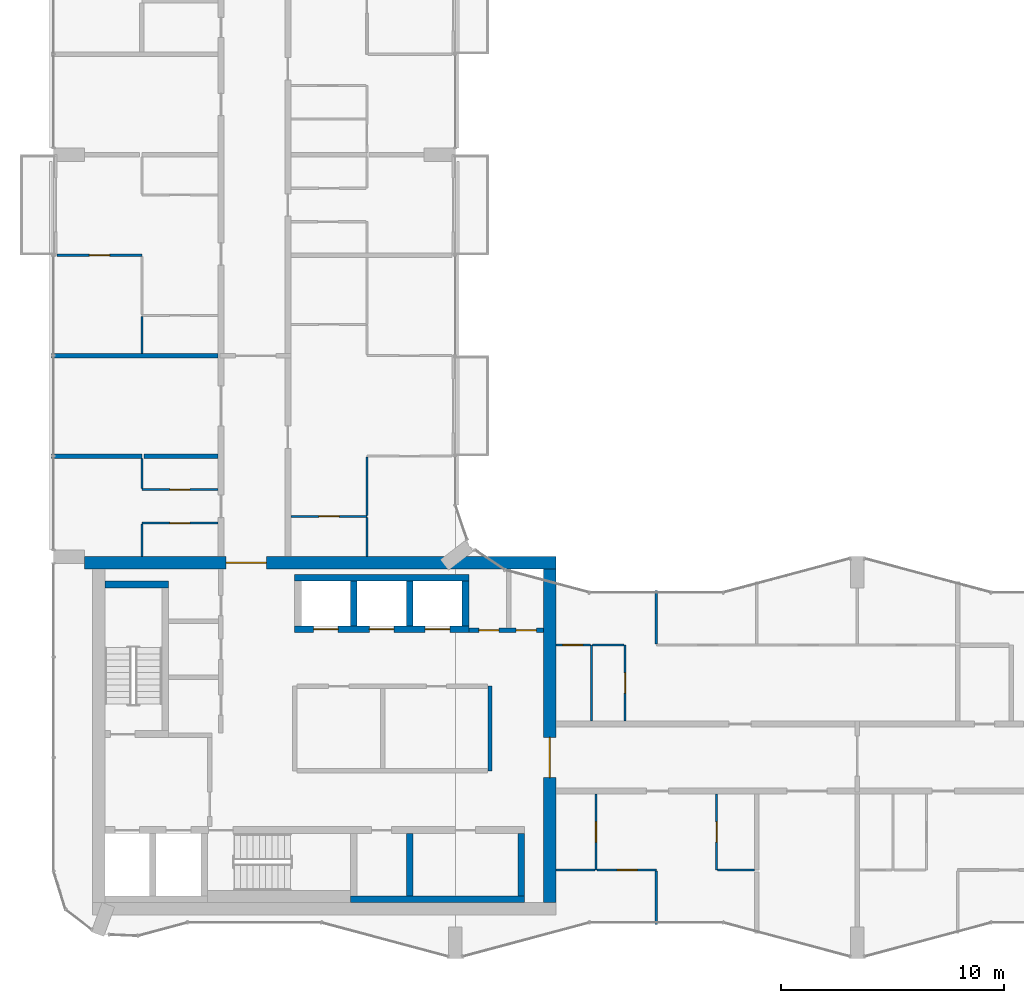
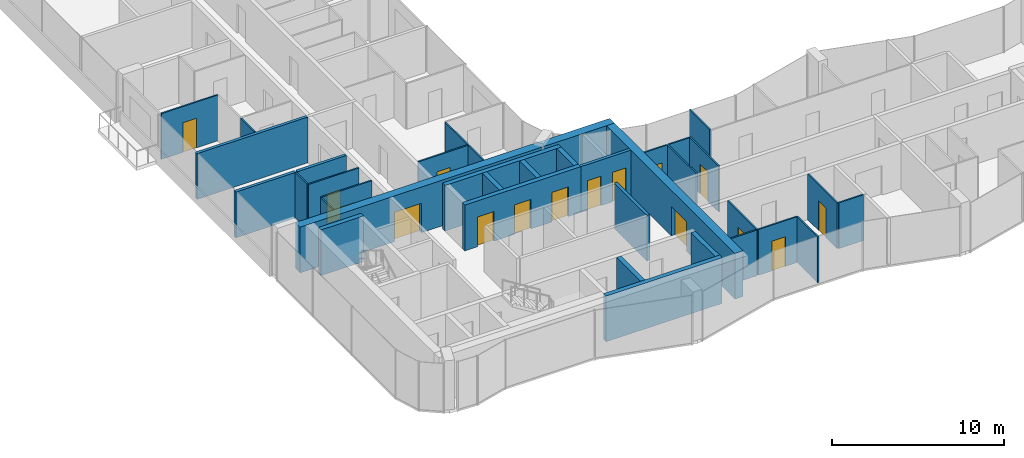
# One storey, part 10 of 15: 36 walls, 16 doors, 16 openings.
"""IFC4 building model written with IfcOpenShell, lengths in metres."""

import ifcopenshell
import ifcopenshell.guid

model = None  # the IFC model being written
_history = None  # IfcOwnerHistory: only IFC2X3 demands one
_inside = {}  # id of a spatial element -> (the spatial element, [elements in it])
_under = {}  # id of a project, library or spatial element -> (it, [spatial elements below it])
_declared = {}  # id of a project -> (the project, [libraries it declares])
_typed = {}  # id of a type object -> (the type object, [elements of that type])
_made_of = {}  # id of a material, layer set ... -> (it, [elements and type objects made of it])


def new_model(schema):
    """Start an empty IFC model of exactly this schema.

    Asked for "IFC4X3", IfcOpenShell would pick the latest addendum, in which some entities
    have other attributes; the version numbers below select the first issue.
    IFC2X3 requires an IfcOwnerHistory on every rooted entity: one is made here for all.
    """
    global model, _history
    if schema == "IFC4X3":
        model = ifcopenshell.file(schema_version=(4, 3, 0, 0))
    else:
        model = ifcopenshell.file(schema=schema)
    _inside.clear()
    _under.clear()
    _declared.clear()
    _typed.clear()
    _made_of.clear()
    _history = None
    if model.schema == "IFC2X3":
        org = make("IfcOrganization", Name="unknown")
        user = make(
            "IfcPersonAndOrganization",
            ThePerson=make("IfcPerson", FamilyName="unknown"),
            TheOrganization=org,
        )
        app = make(
            "IfcApplication",
            ApplicationDeveloper=org,
            Version="unknown",
            ApplicationFullName="unknown",
            ApplicationIdentifier="unknown",
        )
        _history = make(
            "IfcOwnerHistory",
            OwningUser=user,
            OwningApplication=app,
            ChangeAction="ADDED",
            CreationDate=0,
        )
    return model


def make(cls, **values):
    """One entity of the class cls with the attributes given. An attribute that is None is left unset."""
    return model.create_entity(
        cls, **{name: value for name, value in values.items() if value is not None}
    )


def rooted(cls, **values):
    """An entity with a GlobalId (a new one), such as an element, a storey or a relation."""
    return make(cls, GlobalId=ifcopenshell.guid.new(), OwnerHistory=_history, **values)


def si_unit(unit_type, name, prefix=None):
    """IfcSIUnit, for example si_unit("LENGTHUNIT", "METRE", prefix="MILLI")."""
    return make("IfcSIUnit", UnitType=unit_type, Prefix=prefix, Name=name)


def assignment(units):
    """IfcUnitAssignment: the units of a project."""
    return None if units is None else make("IfcUnitAssignment", Units=units)


def point(xyz):
    """IfcCartesianPoint."""
    return None if xyz is None else make("IfcCartesianPoint", Coordinates=xyz)


def direction(xyz):
    """IfcDirection."""
    return None if xyz is None else make("IfcDirection", DirectionRatios=xyz)


def frame(location, z_axis=None, x_axis=None):
    """IfcAxis2Placement3D, a coordinate frame: its origin and axes. An axis left out is left unset."""
    return make(
        "IfcAxis2Placement3D",
        Location=point(location),
        Axis=direction(z_axis),
        RefDirection=direction(x_axis),
    )


def frame_2d(location, x_axis=None):
    """IfcAxis2Placement2D, a coordinate frame in the plane: its origin and x axis."""
    return make(
        "IfcAxis2Placement2D", Location=point(location), RefDirection=direction(x_axis)
    )


def origin():
    """The frame at (0, 0, 0) with its axes left unset."""
    return frame((0.0, 0.0, 0.0))


def place(relative_to, where):
    """IfcLocalPlacement: puts the frame where relative to a parent placement (None: the world)."""
    return make(
        "IfcLocalPlacement", PlacementRelTo=relative_to, RelativePlacement=where
    )


def context(
    kind, dimensions, precision=None, world=None, true_north=None, identifier=None
):
    """IfcGeometricRepresentationContext, for example the 3D "Model" context."""
    return make(
        "IfcGeometricRepresentationContext",
        ContextIdentifier=identifier,
        ContextType=kind,
        CoordinateSpaceDimension=dimensions,
        Precision=precision,
        WorldCoordinateSystem=world,
        TrueNorth=true_north,
    )


def subcontext(parent, identifier, kind, view, scale=None):
    """IfcGeometricRepresentationSubContext, for example "Body" below "Model"."""
    return make(
        "IfcGeometricRepresentationSubContext",
        ContextIdentifier=identifier,
        ContextType=kind,
        ParentContext=parent,
        TargetScale=scale,
        TargetView=view,
    )


def project(units=None, contexts=None):
    """IfcProject with its units and contexts."""
    return rooted(
        "IfcProject",
        Name="project",
        RepresentationContexts=contexts,
        UnitsInContext=assignment(units),
    )


def spatial(cls, under=None, at=None, **own):
    """A site, building, storey or space (cls), placed at a placement, below another one or the project."""
    s = rooted(cls, ObjectPlacement=at, **own)
    if under is not None:
        _under.setdefault(under.id(), (under, []))[1].append(s)
    return s


def profile(cls, at=None, kind="AREA", **sizes):
    """A parametric profile (cls). Its sizes go by their IFC names, for example OverallWidth=200.0."""
    return make(cls, ProfileType=kind, Position=at, **sizes)


def rectangle(**sizes):
    """IfcRectangleProfileDef."""
    return profile("IfcRectangleProfileDef", **sizes)


def extrude(swept, where, along, depth):
    """IfcExtrudedAreaSolid: the profile swept, set in the frame where, extruded along a direction by depth."""
    return make(
        "IfcExtrudedAreaSolid",
        SweptArea=swept,
        Position=where,
        ExtrudedDirection=direction(along),
        Depth=depth,
    )


def shape(context_of_items, identifier, shape_type, items):
    """IfcShapeRepresentation: the items that make up one representation, for example the "Body"."""
    return make(
        "IfcShapeRepresentation",
        ContextOfItems=context_of_items,
        RepresentationIdentifier=identifier,
        RepresentationType=shape_type,
        Items=items,
    )


def material(Name=None, Category=None):
    """IfcMaterial."""
    return make("IfcMaterial", Name=Name, Category=Category)


def layer(
    of_material, thickness, ventilated=None, Name=None, Category=None, Priority=None
):
    """IfcMaterialLayer: one layer of a wall or slab, of a material (None: an air gap)."""
    return make(
        "IfcMaterialLayer",
        Material=of_material,
        LayerThickness=thickness,
        IsVentilated=ventilated,
        Name=Name,
        Category=Category,
        Priority=Priority,
    )


def layer_set(layers, Name=None):
    """IfcMaterialLayerSet."""
    return make("IfcMaterialLayerSet", MaterialLayers=layers, LayerSetName=Name)


def made_of(thing, what):
    """Note that an element or type object is made of a material, layer set ...; save() writes the relation."""
    if what is not None:
        _made_of.setdefault(what.id(), (what, []))[1].append(thing)
    return thing


def type_object(cls, material=None, **own):
    """A type object (cls), such as IfcWallType, which elements share."""
    return made_of(rooted(cls, **own), material)


def element(
    cls,
    number,
    at=None,
    inside=None,
    cuts=None,
    type_object=None,
    material=None,
    context=None,
    identifier="Body",
    shape_type=None,
    held_by="IfcProductDefinitionShape",
    body=None,
    shapes=None,
    **own,
):
    """One element of the class cls, such as IfcWall. Its Tag is "e" and its number.

    at: its placement. inside: the storey or other place that contains it. cuts: it is an
    opening in that element (IfcRelVoidsElement). A single representation is given by context,
    identifier, shape_type and body (its items); several are given by shapes. held_by: the class
    of the entity that holds the representations. save() writes the other relations.
    """
    e = rooted(cls, Tag="e%d" % number, ObjectPlacement=at, **own)
    if body is not None:
        shapes = [shape(context, identifier, shape_type, body)]
    if shapes is not None:
        e.Representation = make(held_by, Representations=shapes)
    if inside is not None:
        _inside.setdefault(inside.id(), (inside, []))[1].append(e)
    if cuts is not None:
        rooted(
            "IfcRelVoidsElement", RelatingBuildingElement=cuts, RelatedOpeningElement=e
        )
    if type_object is not None:
        _typed.setdefault(type_object.id(), (type_object, []))[1].append(e)
    return made_of(e, material)


def fill(opening, filler):
    """IfcRelFillsElement: the door or window that sits in an opening."""
    return rooted(
        "IfcRelFillsElement",
        RelatingOpeningElement=opening,
        RelatedBuildingElement=filler,
    )


def aggregate(whole, parts):
    """IfcRelAggregates: a whole, such as a stair, and the parts it consists of."""
    return rooted("IfcRelAggregates", RelatingObject=whole, RelatedObjects=parts)


def save(model, path):
    """Write the relations noted so far, then the file.

    IfcRelAggregates (storeys below a building ...), IfcRelContainedInSpatialStructure (elements
    in a storey), IfcRelDefinesByType, IfcRelAssociatesMaterial and IfcRelDeclares: one each for
    every whole, place, type object, material and project.
    """
    for whole, parts in _under.values():
        aggregate(whole, parts)
    for where, things in _inside.values():
        rooted(
            "IfcRelContainedInSpatialStructure",
            RelatedElements=things,
            RelatingStructure=where,
        )
    for kind, things in _typed.values():
        rooted("IfcRelDefinesByType", RelatedObjects=things, RelatingType=kind)
    for what, things in _made_of.values():
        rooted("IfcRelAssociatesMaterial", RelatedObjects=things, RelatingMaterial=what)
    for by, libraries in _declared.values():
        rooted("IfcRelDeclares", RelatingContext=by, RelatedDefinitions=libraries)
    model.write(path)


model = new_model("IFC4")

# Units and contexts
model_context = context("Model", 3, precision=1e-05, world=origin(), true_north=direction((0.0, 1.0)))
body_context = subcontext(model_context, "Body", "Model", "MODEL_VIEW")
ifc_project = project(units=[si_unit("LENGTHUNIT", "METRE"), si_unit("AREAUNIT", "SQUARE_METRE"), si_unit("VOLUMEUNIT", "CUBIC_METRE"), si_unit("PLANEANGLEUNIT", "RADIAN"), si_unit("MASSUNIT", "GRAM", prefix="KILO")], contexts=[model_context])

# Site, building, storey
site_placement = place(None, origin())
site = spatial("IfcSite", under=ifc_project, at=site_placement, CompositionType="ELEMENT")
building_placement = place(site_placement, origin())
building = spatial("IfcBuilding", under=site, at=building_placement, Name="Plateau Cross Towers", CompositionType="ELEMENT")
storey_placement = place(building_placement, frame((0.0, 0.0, 201.39990234375)))
storey = spatial("IfcBuildingStorey", under=building, at=storey_placement, Name="L52", CompositionType="ELEMENT", Elevation=201.39990234375)

# Wall
ifc_material_1 = material(Name="Concrete block, plastered both sides", Category="concrete")
ifc_layer_1 = layer(ifc_material_1, 0.199951171875)
ifc_layer_set_1 = layer_set([ifc_layer_1], Name="Concrete block, plastered both sides")
wall_type_1 = type_object("IfcWallType", Name="Core partition 200", PredefinedType="PARTITIONING", material=ifc_layer_set_1)
wall_1_placement = place(storey_placement, frame((19.550048828125, 8.39990234375, 0.0), z_axis=(0.0, 0.0, 1.0), x_axis=(0.0, 1.0, 0.0)))
element("IfcWall", 1, at=wall_1_placement, inside=storey, type_object=wall_type_1, Name="Core partition", PredefinedType="PARTITIONING", context=body_context, shape_type="SweptSolid", body=[
    extrude(rectangle(XDim=3.800048828125, YDim=0.199951171875, at=frame_2d((1.89990234375, 0.0))), origin(), (0.0, 0.0, 1.0), 3.25),
])

# Wall, openings, doors
wall_2_placement = place(storey_placement, frame((18.60009765625, 14.699951171875, 0.0), z_axis=(0.0, 0.0, 1.0), x_axis=(1.0, 0.0, 0.0)))
wall_2 = element("IfcWall", 2, at=wall_2_placement, inside=storey, type_object=wall_type_1, Name="Core partition", PredefinedType="PARTITIONING", context=body_context, shape_type="SweptSolid", body=[
    extrude(rectangle(XDim=3.349853515625, YDim=0.199951171875, at=frame_2d((1.6748046875, 0.0))), origin(), (0.0, 0.0, 1.0), 3.25),
])
opening_1_placement = place(wall_2_placement, frame((0.449951171875, 0.0, 0.0)))
opening_1 = element("IfcOpeningElement", 3, at=opening_1_placement, cuts=wall_2, Name="Opening RD2", PredefinedType="OPENING", context=body_context, shape_type="SweptSolid", body=[
    extrude(rectangle(XDim=0.89990234375, YDim=2.10009765625, at=frame_2d((0.449951171875, 1.050048828125))), frame((0.0, 0.10986328125, 0.0), z_axis=(0.0, -1.0, 0.0), x_axis=(1.0, 0.0, 0.0)), (0.0, 0.0, 1.0), 0.219970703125),
])
opening_2_placement = place(wall_2_placement, frame((2.125, 0.0, 0.0)))
opening_2 = element("IfcOpeningElement", 4, at=opening_2_placement, cuts=wall_2, Name="Opening RD2", PredefinedType="OPENING", context=body_context, shape_type="SweptSolid", body=[
    extrude(rectangle(XDim=0.89990234375, YDim=2.10009765625, at=frame_2d((0.449951171875, 1.050048828125))), frame((0.0, 0.10986328125, 0.0), z_axis=(0.0, -1.0, 0.0), x_axis=(1.0, 0.0, 0.0)), (0.0, 0.0, 1.0), 0.219970703125),
])
ifc_material_2 = material(Name="Steel, fire-resisting leaf", Category="steel")
door_type_1 = type_object("IfcDoorType", Name="Core riser door 900", OperationType="NOTDEFINED", PredefinedType="DOOR", material=ifc_material_2)
door_1_placement = place(opening_1_placement, origin())
door_1 = element("IfcDoor", 5, at=door_1_placement, inside=storey, type_object=door_type_1, Name="Core riser door RD2", OperationType="SINGLE_SWING_LEFT", OverallHeight=2.10009765625, OverallWidth=0.89990234375, PredefinedType="DOOR", context=body_context, shape_type="SweptSolid", body=[
    extrude(rectangle(XDim=0.89990234375, YDim=2.10009765625, at=frame_2d((0.449951171875, 1.050048828125))), frame((0.0, 0.02490234375, 0.0), z_axis=(0.0, -1.0, 0.0), x_axis=(1.0, 0.0, 0.0)), (0.0, 0.0, 1.0), 0.050048828125),
])
fill(opening_1, door_1)
door_2_placement = place(opening_2_placement, origin())
door_2 = element("IfcDoor", 6, at=door_2_placement, inside=storey, type_object=door_type_1, Name="Core riser door RD2", OperationType="SINGLE_SWING_LEFT", OverallHeight=2.10009765625, OverallWidth=0.89990234375, PredefinedType="DOOR", context=body_context, shape_type="SweptSolid", body=[
    extrude(rectangle(XDim=0.89990234375, YDim=2.10009765625, at=frame_2d((0.449951171875, 1.050048828125))), frame((0.0, 0.02490234375, 0.0), z_axis=(0.0, -1.0, 0.0), x_axis=(1.0, 0.0, 0.0)), (0.0, 0.0, 1.0), 0.050048828125),
])
fill(opening_2, door_2)

# Walls
ifc_material_3 = material(Name="Concrete C60/75", Category="concrete")
ifc_layer_2 = layer(ifc_material_3, 0.300048828125)
ifc_layer_set_2 = layer_set([ifc_layer_2], Name="Concrete C60/75")
wall_type_2 = type_object("IfcWallType", Name="Core shaft wall 300", PredefinedType="SHEAR", material=ifc_layer_set_2)
wall_3_placement = place(storey_placement, frame((13.300048828125, 2.64990234375, 0.0), z_axis=(0.0, 0.0, 1.0), x_axis=(1.0, 0.0, 0.0)))
element("IfcWall", 7, at=wall_3_placement, inside=storey, type_object=wall_type_2, Name="A-sb-back3@L52", PredefinedType="SHEAR", context=body_context, shape_type="SweptSolid", body=[
    extrude(rectangle(XDim=7.800048828125, YDim=0.300048828125, at=frame_2d((3.89990234375, 0.0))), origin(), (0.0, 0.0, 1.0), 3.25),
])
for number, where, z_axis, x_axis, name in (
    (8, (15.949951171875, 2.800048828125, 0.0), (0.0, 0.0, 1.0), (0.0, 1.0, 0.0), "A-sb-v4@L52"),
    (9, (20.949951171875, 2.800048828125, 0.0), (0.0, 0.0, 1.0), (0.0, 1.0, 0.0), "A-sb-v6@L52"),
):
    element("IfcWall", number, at=place(storey_placement, frame(where, z_axis=z_axis, x_axis=x_axis)), inside=storey, type_object=wall_type_2, Name=name, PredefinedType="SHEAR", context=body_context, shape_type="SweptSolid", body=[
        extrude(rectangle(XDim=2.800048828125, YDim=0.300048828125, at=frame_2d((1.39990234375, 0.0))), origin(), (0.0, 0.0, 1.0), 3.25),
    ])
wall_4_placement = place(storey_placement, frame((2.300048828125, 16.75, 0.0), z_axis=(0.0, 0.0, 1.0), x_axis=(1.0, 0.0, 0.0)))
element("IfcWall", 10, at=wall_4_placement, inside=storey, type_object=wall_type_2, Name="A-st1-N@L52", PredefinedType="SHEAR", context=body_context, shape_type="SweptSolid", body=[
    extrude(rectangle(XDim=2.849853515625, YDim=0.300048828125, at=frame_2d((1.4248046875, 0.0))), origin(), (0.0, 0.0, 1.0), 3.25),
])
wall_5_placement = place(storey_placement, frame((10.800048828125, 17.050048828125, 0.0), z_axis=(0.0, 0.0, 1.0), x_axis=(1.0, 0.0, 0.0)))
element("IfcWall", 11, at=wall_5_placement, inside=storey, type_object=wall_type_2, Name="A-nb-back@L52", PredefinedType="SHEAR", context=body_context, shape_type="SweptSolid", body=[
    extrude(rectangle(XDim=7.800048828125, YDim=0.300048828125, at=frame_2d((3.89990234375, 0.0))), origin(), (0.0, 0.0, 1.0), 3.25),
])

# Wall, openings, doors
wall_6_placement = place(storey_placement, frame((10.800048828125, 14.75, 0.0), z_axis=(0.0, 0.0, 1.0), x_axis=(1.0, 0.0, 0.0)))
wall_6 = element("IfcWall", 12, at=wall_6_placement, inside=storey, type_object=wall_type_2, Name="A-nb-front@L52", PredefinedType="SHEAR", context=body_context, shape_type="SweptSolid", body=[
    extrude(rectangle(XDim=7.800048828125, YDim=0.300048828125, at=frame_2d((3.89990234375, 0.0))), origin(), (0.0, 0.0, 1.0), 3.25),
])
opening_3_placement = place(wall_6_placement, frame((0.85009765625, 0.0, 0.0)))
opening_3 = element("IfcOpeningElement", 13, at=opening_3_placement, cuts=wall_6, Name="Opening LD", PredefinedType="OPENING", context=body_context, shape_type="SweptSolid", body=[
    extrude(rectangle(XDim=1.10009765625, YDim=2.10009765625, at=frame_2d((0.550048828125, 1.050048828125))), frame((0.0, 0.159912109375, 0.0), z_axis=(0.0, -1.0, 0.0), x_axis=(1.0, 0.0, 0.0)), (0.0, 0.0, 1.0), 0.320068359375),
])
opening_4_placement = place(wall_6_placement, frame((3.35009765625, 0.0, 0.0)))
opening_4 = element("IfcOpeningElement", 14, at=opening_4_placement, cuts=wall_6, Name="Opening LD", PredefinedType="OPENING", context=body_context, shape_type="SweptSolid", body=[
    extrude(rectangle(XDim=1.10009765625, YDim=2.10009765625, at=frame_2d((0.550048828125, 1.050048828125))), frame((0.0, 0.159912109375, 0.0), z_axis=(0.0, -1.0, 0.0), x_axis=(1.0, 0.0, 0.0)), (0.0, 0.0, 1.0), 0.320068359375),
])
opening_5_placement = place(wall_6_placement, frame((5.85009765625, 0.0, 0.0)))
opening_5 = element("IfcOpeningElement", 15, at=opening_5_placement, cuts=wall_6, Name="Opening LD", PredefinedType="OPENING", context=body_context, shape_type="SweptSolid", body=[
    extrude(rectangle(XDim=1.10009765625, YDim=2.10009765625, at=frame_2d((0.550048828125, 1.050048828125))), frame((0.0, 0.159912109375, 0.0), z_axis=(0.0, -1.0, 0.0), x_axis=(1.0, 0.0, 0.0)), (0.0, 0.0, 1.0), 0.320068359375),
])
ifc_material_4 = material(Name="Stainless steel, fire-resisting sliding leaves", Category="steel")
door_type_2 = type_object("IfcDoorType", Name="Lift landing door 1100", OperationType="NOTDEFINED", PredefinedType="DOOR", material=ifc_material_4)
door_3_placement = place(opening_3_placement, origin())
door_3 = element("IfcDoor", 16, at=door_3_placement, inside=storey, type_object=door_type_2, Name="Lift landing door LD", OperationType="DOUBLE_DOOR_SLIDING", OverallHeight=2.10009765625, OverallWidth=1.10009765625, PredefinedType="DOOR", context=body_context, shape_type="SweptSolid", body=[
    extrude(rectangle(XDim=1.10009765625, YDim=2.10009765625, at=frame_2d((0.550048828125, 1.050048828125))), frame((0.0, 0.02490234375, 0.0), z_axis=(0.0, -1.0, 0.0), x_axis=(1.0, 0.0, 0.0)), (0.0, 0.0, 1.0), 0.050048828125),
])
fill(opening_3, door_3)
door_4_placement = place(opening_4_placement, origin())
door_4 = element("IfcDoor", 17, at=door_4_placement, inside=storey, type_object=door_type_2, Name="Lift landing door LD", OperationType="DOUBLE_DOOR_SLIDING", OverallHeight=2.10009765625, OverallWidth=1.10009765625, PredefinedType="DOOR", context=body_context, shape_type="SweptSolid", body=[
    extrude(rectangle(XDim=1.10009765625, YDim=2.10009765625, at=frame_2d((0.550048828125, 1.050048828125))), frame((0.0, 0.02490234375, 0.0), z_axis=(0.0, -1.0, 0.0), x_axis=(1.0, 0.0, 0.0)), (0.0, 0.0, 1.0), 0.050048828125),
])
fill(opening_4, door_4)
door_5_placement = place(opening_5_placement, origin())
door_5 = element("IfcDoor", 18, at=door_5_placement, inside=storey, type_object=door_type_2, Name="Lift landing door LD", OperationType="DOUBLE_DOOR_SLIDING", OverallHeight=2.10009765625, OverallWidth=1.10009765625, PredefinedType="DOOR", context=body_context, shape_type="SweptSolid", body=[
    extrude(rectangle(XDim=1.10009765625, YDim=2.10009765625, at=frame_2d((0.550048828125, 1.050048828125))), frame((0.0, 0.02490234375, 0.0), z_axis=(0.0, -1.0, 0.0), x_axis=(1.0, 0.0, 0.0)), (0.0, 0.0, 1.0), 0.050048828125),
])
fill(opening_5, door_5)

# Walls
for number, where, z_axis, x_axis, name in (
    (19, (13.449951171875, 14.89990234375, 0.0), (0.0, 0.0, 1.0), (0.0, 1.0, 0.0), "A-nb-v2@L52"),
    (20, (15.949951171875, 14.89990234375, 0.0), (0.0, 0.0, 1.0), (0.0, 1.0, 0.0), "A-nb-v3@L52"),
    (21, (18.449951171875, 14.89990234375, 0.0), (0.0, 0.0, 1.0), (0.0, 1.0, 0.0), "A-nb-v4@L52"),
):
    element("IfcWall", number, at=place(storey_placement, frame(where, z_axis=z_axis, x_axis=x_axis)), inside=storey, type_object=wall_type_2, Name=name, PredefinedType="SHEAR", context=body_context, shape_type="SweptSolid", body=[
        extrude(rectangle(XDim=2.0, YDim=0.300048828125, at=frame_2d((1.0, 0.0))), origin(), (0.0, 0.0, 1.0), 3.25),
    ])

# Wall, opening, door
ifc_layer_3 = layer(ifc_material_3, 0.550048828125)
ifc_layer_set_3 = layer_set([ifc_layer_3], Name="Concrete C60/75")
wall_type_3 = type_object("IfcWallType", Name="Core shell wall 550", PredefinedType="SHEAR", material=ifc_layer_set_3)
wall_7_placement = place(storey_placement, frame((1.3798828125, 17.72509765625, 0.0), z_axis=(0.0, 0.0, 1.0), x_axis=(1.0, 0.0, 0.0)))
wall_7 = element("IfcWall", 22, at=wall_7_placement, inside=storey, type_object=wall_type_3, Name="A-core-N@L52", PredefinedType="SHEAR", context=body_context, shape_type="SweptSolid", body=[
    extrude(rectangle(XDim=21.1201171875, YDim=0.550048828125, at=frame_2d((10.56005859375, 0.0))), origin(), (0.0, 0.0, 1.0), 3.25),
])
opening_6_placement = place(wall_7_placement, frame((6.35009765625, 0.0, 0.0)))
opening_6 = element("IfcOpeningElement", 23, at=opening_6_placement, cuts=wall_7, Name="Opening CD", PredefinedType="OPENING", context=body_context, shape_type="SweptSolid", body=[
    extrude(rectangle(XDim=1.800048828125, YDim=2.10009765625, at=frame_2d((0.89990234375, 1.050048828125))), frame((0.0, 0.284912109375, 0.0), z_axis=(0.0, -1.0, 0.0), x_axis=(1.0, 0.0, 0.0)), (0.0, 0.0, 1.0), 0.570068359375),
])
ifc_material_5 = material(Name="Steel, fire-resisting leaves", Category="steel")
door_type_3 = type_object("IfcDoorType", Name="Corridor door pair 1800", OperationType="NOTDEFINED", PredefinedType="DOOR", material=ifc_material_5)
door_6_placement = place(opening_6_placement, origin())
door_6 = element("IfcDoor", 24, at=door_6_placement, inside=storey, type_object=door_type_3, Name="Corridor door pair CD", OperationType="DOUBLE_DOOR_SINGLE_SWING", OverallHeight=2.10009765625, OverallWidth=1.800048828125, PredefinedType="DOOR", context=body_context, shape_type="SweptSolid", body=[
    extrude(rectangle(XDim=1.800048828125, YDim=2.10009765625, at=frame_2d((0.89990234375, 1.050048828125))), frame((0.0, 0.02490234375, 0.0), z_axis=(0.0, -1.0, 0.0), x_axis=(1.0, 0.0, 0.0)), (0.0, 0.0, 1.0), 0.050048828125),
])
fill(opening_6, door_6)

wall_8_placement = place(storey_placement, frame((22.22509765625, 2.5, 0.0), z_axis=(0.0, 0.0, 1.0), x_axis=(0.0, 1.0, 0.0)))
wall_8 = element("IfcWall", 25, at=wall_8_placement, inside=storey, type_object=wall_type_3, Name="A-core-E@L52", PredefinedType="SHEAR", context=body_context, shape_type="SweptSolid", body=[
    extrude(rectangle(XDim=14.949951171875, YDim=0.550048828125, at=frame_2d((7.47509765625, 0.0))), origin(), (0.0, 0.0, 1.0), 3.25),
])
opening_7_placement = place(wall_8_placement, frame((5.60009765625, 0.0, 0.0)))
opening_7 = element("IfcOpeningElement", 26, at=opening_7_placement, cuts=wall_8, Name="Opening CD", PredefinedType="OPENING", context=body_context, shape_type="SweptSolid", body=[
    extrude(rectangle(XDim=1.800048828125, YDim=2.10009765625, at=frame_2d((0.89990234375, 1.050048828125))), frame((0.0, 0.284912109375, 0.0), z_axis=(0.0, -1.0, 0.0), x_axis=(1.0, 0.0, 0.0)), (0.0, 0.0, 1.0), 0.570068359375),
])
door_7_placement = place(opening_7_placement, origin())
door_7 = element("IfcDoor", 27, at=door_7_placement, inside=storey, type_object=door_type_3, Name="Corridor door pair CD", OperationType="DOUBLE_DOOR_SINGLE_SWING", OverallHeight=2.10009765625, OverallWidth=1.800048828125, PredefinedType="DOOR", context=body_context, shape_type="SweptSolid", body=[
    extrude(rectangle(XDim=1.800048828125, YDim=2.10009765625, at=frame_2d((0.89990234375, 1.050048828125))), frame((0.0, 0.02490234375, 0.0), z_axis=(0.0, -1.0, 0.0), x_axis=(1.0, 0.0, 0.0)), (0.0, 0.0, 1.0), 0.050048828125),
])
fill(opening_7, door_7)

ifc_material_6 = material(Name="Gypsum board on steel studs", Category="steel")
ifc_layer_4 = layer(ifc_material_6, 0.10009765625)
ifc_layer_set_4 = layer_set([ifc_layer_4], Name="Gypsum board on steel studs")
wall_type_4 = type_object("IfcWallType", Name="Flat partition 100", PredefinedType="PARTITIONING", material=ifc_layer_set_4)
wall_9_placement = place(storey_placement, frame((27.0, 3.96240234375, 0.0), z_axis=(0.0, 0.0, 1.0), x_axis=(-1.0, 0.0, 0.0)))
wall_9 = element("IfcWall", 28, at=wall_9_placement, inside=storey, type_object=wall_type_4, Name="Partition wall", PredefinedType="PARTITIONING", context=body_context, shape_type="SweptSolid", body=[
    extrude(rectangle(XDim=2.64990234375, YDim=0.10009765625, at=frame_2d((1.324951171875, 0.0))), origin(), (0.0, 0.0, 1.0), 3.25),
])
opening_8_placement = place(wall_9_placement, frame((0.85009765625, 0.0, 0.0)))
opening_8 = element("IfcOpeningElement", 29, at=opening_8_placement, cuts=wall_9, Name="Opening 52-22", PredefinedType="OPENING", context=body_context, shape_type="SweptSolid", body=[
    extrude(rectangle(XDim=0.89990234375, YDim=2.10009765625, at=frame_2d((0.449951171875, 1.050048828125))), frame((0.0, 0.06005859375, 0.0), z_axis=(0.0, -1.0, 0.0), x_axis=(1.0, 0.0, 0.0)), (0.0, 0.0, 1.0), 0.1201171875),
])
ifc_material_7 = material(Name="Timber leaf", Category="wood")
door_type_4 = type_object("IfcDoorType", Name="Flat room door 900", OperationType="NOTDEFINED", PredefinedType="DOOR", material=ifc_material_7)
door_8_placement = place(opening_8_placement, origin())
door_8 = element("IfcDoor", 30, at=door_8_placement, inside=storey, type_object=door_type_4, Name="Door 52-22", OperationType="SINGLE_SWING_LEFT", OverallHeight=2.10009765625, OverallWidth=0.89990234375, PredefinedType="DOOR", context=body_context, shape_type="SweptSolid", body=[
    extrude(rectangle(XDim=0.89990234375, YDim=2.10009765625, at=frame_2d((0.449951171875, 1.050048828125))), frame((0.0, 0.02490234375, 0.0), z_axis=(0.0, -1.0, 0.0), x_axis=(1.0, 0.0, 0.0)), (0.0, 0.0, 1.0), 0.050048828125),
])
fill(opening_8, door_8)

# Walls
wall_10_placement = place(storey_placement, frame((22.5, 3.96240234375, 0.0), z_axis=(0.0, 0.0, 1.0), x_axis=(1.0, 0.0, 0.0)))
element("IfcWall", 31, at=wall_10_placement, inside=storey, type_object=wall_type_4, Name="Partition wall", PredefinedType="PARTITIONING", context=body_context, shape_type="SweptSolid", body=[
    extrude(rectangle(XDim=1.75, YDim=0.10009765625, at=frame_2d((0.875, 0.0))), origin(), (0.0, 0.0, 1.0), 3.25),
])
wall_11_placement = place(storey_placement, frame((29.75, 3.96240234375, 0.0), z_axis=(0.0, 0.0, 1.0), x_axis=(1.0, 0.0, 0.0)))
element("IfcWall", 32, at=wall_11_placement, inside=storey, type_object=wall_type_4, Name="Partition wall", PredefinedType="PARTITIONING", context=body_context, shape_type="SweptSolid", body=[
    extrude(rectangle(XDim=1.64990234375, YDim=0.10009765625, at=frame_2d((0.824951171875, 0.0))), origin(), (0.0, 0.0, 1.0), 3.25),
])

# Wall, opening, door
wall_12_placement = place(storey_placement, frame((24.050048828125, 14.03759765625, 0.0), z_axis=(0.0, 0.0, 1.0), x_axis=(-1.0, 0.0, 0.0)))
wall_12 = element("IfcWall", 33, at=wall_12_placement, inside=storey, type_object=wall_type_4, Name="Partition wall", PredefinedType="PARTITIONING", context=body_context, shape_type="SweptSolid", body=[
    extrude(rectangle(XDim=1.550048828125, YDim=0.10009765625, at=frame_2d((0.77490234375, 0.0))), origin(), (0.0, 0.0, 1.0), 3.25),
])
opening_9_placement = place(wall_12_placement, frame((0.35009765625, 0.0, 0.0)))
opening_9 = element("IfcOpeningElement", 34, at=opening_9_placement, cuts=wall_12, Name="Opening 52-28", PredefinedType="OPENING", context=body_context, shape_type="SweptSolid", body=[
    extrude(rectangle(XDim=0.89990234375, YDim=2.10009765625, at=frame_2d((0.449951171875, 1.050048828125))), frame((0.0, 0.06005859375, 0.0), z_axis=(0.0, -1.0, 0.0), x_axis=(1.0, 0.0, 0.0)), (0.0, 0.0, 1.0), 0.1201171875),
])
door_9_placement = place(opening_9_placement, origin())
door_9 = element("IfcDoor", 35, at=door_9_placement, inside=storey, type_object=door_type_4, Name="Door 52-28", OperationType="SINGLE_SWING_RIGHT", OverallHeight=2.10009765625, OverallWidth=0.89990234375, PredefinedType="DOOR", context=body_context, shape_type="SweptSolid", body=[
    extrude(rectangle(XDim=0.89990234375, YDim=2.10009765625, at=frame_2d((0.449951171875, 1.050048828125))), frame((0.0, 0.02490234375, 0.0), z_axis=(0.0, -1.0, 0.0), x_axis=(1.0, 0.0, 0.0)), (0.0, 0.0, 1.0), 0.050048828125),
])
fill(opening_9, door_9)

# Wall
wall_13_placement = place(storey_placement, frame((25.550048828125, 14.03759765625, 0.0), z_axis=(0.0, 0.0, 1.0), x_axis=(-1.0, 0.0, 0.0)))
element("IfcWall", 36, at=wall_13_placement, inside=storey, type_object=wall_type_4, Name="Partition wall", PredefinedType="PARTITIONING", context=body_context, shape_type="SweptSolid", body=[
    extrude(rectangle(XDim=1.400146484375, YDim=0.10009765625, at=frame_2d((0.7001953125, 0.0))), origin(), (0.0, 0.0, 1.0), 3.25),
])

# Wall, opening, door
wall_14_placement = place(storey_placement, frame((7.362548828125, 19.5, 0.0), z_axis=(0.0, 0.0, 1.0), x_axis=(-1.0, 0.0, 0.0)))
wall_14 = element("IfcWall", 37, at=wall_14_placement, inside=storey, type_object=wall_type_4, Name="Partition wall", PredefinedType="PARTITIONING", context=body_context, shape_type="SweptSolid", body=[
    extrude(rectangle(XDim=3.400146484375, YDim=0.10009765625, at=frame_2d((1.7001953125, 0.0))), origin(), (0.0, 0.0, 1.0), 3.25),
])
opening_10_placement = place(wall_14_placement, frame((1.25, 0.0, 0.0)))
opening_10 = element("IfcOpeningElement", 38, at=opening_10_placement, cuts=wall_14, Name="Opening 52-33", PredefinedType="OPENING", context=body_context, shape_type="SweptSolid", body=[
    extrude(rectangle(XDim=0.89990234375, YDim=2.10009765625, at=frame_2d((0.449951171875, 1.050048828125))), frame((0.0, 0.06005859375, 0.0), z_axis=(0.0, -1.0, 0.0), x_axis=(1.0, 0.0, 0.0)), (0.0, 0.0, 1.0), 0.1201171875),
])
door_10_placement = place(opening_10_placement, origin())
door_10 = element("IfcDoor", 39, at=door_10_placement, inside=storey, type_object=door_type_4, Name="Door 52-33", OperationType="SINGLE_SWING_LEFT", OverallHeight=2.10009765625, OverallWidth=0.89990234375, PredefinedType="DOOR", context=body_context, shape_type="SweptSolid", body=[
    extrude(rectangle(XDim=0.89990234375, YDim=2.10009765625, at=frame_2d((0.449951171875, 1.050048828125))), frame((0.0, 0.02490234375, 0.0), z_axis=(0.0, -1.0, 0.0), x_axis=(1.0, 0.0, 0.0)), (0.0, 0.0, 1.0), 0.050048828125),
])
fill(opening_10, door_10)

wall_15_placement = place(storey_placement, frame((14.03759765625, 19.800048828125, 0.0), z_axis=(0.0, 0.0, 1.0), x_axis=(-1.0, 0.0, 0.0)))
wall_15 = element("IfcWall", 40, at=wall_15_placement, inside=storey, type_object=wall_type_4, Name="Partition wall", PredefinedType="PARTITIONING", context=body_context, shape_type="SweptSolid", body=[
    extrude(rectangle(XDim=3.400146484375, YDim=0.10009765625, at=frame_2d((1.7001953125, 0.0))), origin(), (0.0, 0.0, 1.0), 3.25),
])
opening_11_placement = place(wall_15_placement, frame((1.25, 0.0, 0.0)))
opening_11 = element("IfcOpeningElement", 41, at=opening_11_placement, cuts=wall_15, Name="Opening 52-38", PredefinedType="OPENING", context=body_context, shape_type="SweptSolid", body=[
    extrude(rectangle(XDim=0.89990234375, YDim=2.10009765625, at=frame_2d((0.449951171875, 1.050048828125))), frame((0.0, 0.06005859375, 0.0), z_axis=(0.0, -1.0, 0.0), x_axis=(1.0, 0.0, 0.0)), (0.0, 0.0, 1.0), 0.1201171875),
])
door_11_placement = place(opening_11_placement, origin())
door_11 = element("IfcDoor", 42, at=door_11_placement, inside=storey, type_object=door_type_4, Name="Door 52-38", OperationType="SINGLE_SWING_LEFT", OverallHeight=2.10009765625, OverallWidth=0.89990234375, PredefinedType="DOOR", context=body_context, shape_type="SweptSolid", body=[
    extrude(rectangle(XDim=0.89990234375, YDim=2.10009765625, at=frame_2d((0.449951171875, 1.050048828125))), frame((0.0, 0.02490234375, 0.0), z_axis=(0.0, -1.0, 0.0), x_axis=(1.0, 0.0, 0.0)), (0.0, 0.0, 1.0), 0.050048828125),
])
fill(opening_11, door_11)

wall_16_placement = place(storey_placement, frame((3.96240234375, 21.0, 0.0), z_axis=(0.0, 0.0, 1.0), x_axis=(1.0, 0.0, 0.0)))
wall_16 = element("IfcWall", 43, at=wall_16_placement, inside=storey, type_object=wall_type_4, Name="Partition wall", PredefinedType="PARTITIONING", context=body_context, shape_type="SweptSolid", body=[
    extrude(rectangle(XDim=3.400146484375, YDim=0.10009765625, at=frame_2d((1.7001953125, 0.0))), origin(), (0.0, 0.0, 1.0), 3.25),
])
opening_12_placement = place(wall_16_placement, frame((1.25, 0.0, 0.0)))
opening_12 = element("IfcOpeningElement", 44, at=opening_12_placement, cuts=wall_16, Name="Opening 52-34", PredefinedType="OPENING", context=body_context, shape_type="SweptSolid", body=[
    extrude(rectangle(XDim=0.89990234375, YDim=2.10009765625, at=frame_2d((0.449951171875, 1.050048828125))), frame((0.0, 0.06005859375, 0.0), z_axis=(0.0, -1.0, 0.0), x_axis=(1.0, 0.0, 0.0)), (0.0, 0.0, 1.0), 0.1201171875),
])
door_12_placement = place(opening_12_placement, origin())
door_12 = element("IfcDoor", 45, at=door_12_placement, inside=storey, type_object=door_type_4, Name="Door 52-34", OperationType="SINGLE_SWING_LEFT", OverallHeight=2.10009765625, OverallWidth=0.89990234375, PredefinedType="DOOR", context=body_context, shape_type="SweptSolid", body=[
    extrude(rectangle(XDim=0.89990234375, YDim=2.10009765625, at=frame_2d((0.449951171875, 1.050048828125))), frame((0.0, 0.02490234375, 0.0), z_axis=(0.0, -1.0, 0.0), x_axis=(1.0, 0.0, 0.0)), (0.0, 0.0, 1.0), 0.050048828125),
])
fill(opening_12, door_12)

wall_17_placement = place(storey_placement, frame((3.96240234375, 31.5, 0.0), z_axis=(0.0, 0.0, 1.0), x_axis=(-1.0, 0.0, 0.0)))
wall_17 = element("IfcWall", 46, at=wall_17_placement, inside=storey, type_object=wall_type_4, Name="Partition wall", PredefinedType="PARTITIONING", context=body_context, shape_type="SweptSolid", body=[
    extrude(rectangle(XDim=3.8125, YDim=0.10009765625, at=frame_2d((1.90625, 0.0))), origin(), (0.0, 0.0, 1.0), 3.25),
])
opening_13_placement = place(wall_17_placement, frame((1.449951171875, 0.0, 0.0)))
opening_13 = element("IfcOpeningElement", 47, at=opening_13_placement, cuts=wall_17, Name="Opening 52-37", PredefinedType="OPENING", context=body_context, shape_type="SweptSolid", body=[
    extrude(rectangle(XDim=0.89990234375, YDim=2.10009765625, at=frame_2d((0.449951171875, 1.050048828125))), frame((0.0, 0.06005859375, 0.0), z_axis=(0.0, -1.0, 0.0), x_axis=(1.0, 0.0, 0.0)), (0.0, 0.0, 1.0), 0.1201171875),
])
door_13_placement = place(opening_13_placement, origin())
door_13 = element("IfcDoor", 48, at=door_13_placement, inside=storey, type_object=door_type_4, Name="Door 52-37", OperationType="SINGLE_SWING_LEFT", OverallHeight=2.10009765625, OverallWidth=0.89990234375, PredefinedType="DOOR", context=body_context, shape_type="SweptSolid", body=[
    extrude(rectangle(XDim=0.89990234375, YDim=2.10009765625, at=frame_2d((0.449951171875, 1.050048828125))), frame((0.0, 0.02490234375, 0.0), z_axis=(0.0, -1.0, 0.0), x_axis=(1.0, 0.0, 0.0)), (0.0, 0.0, 1.0), 0.050048828125),
])
fill(opening_13, door_13)

# Walls
wall_18_placement = place(storey_placement, frame((3.96240234375, 19.449951171875, 0.0), z_axis=(0.0, 0.0, 1.0), x_axis=(0.0, -1.0, 0.0)))
element("IfcWall", 49, at=wall_18_placement, inside=storey, type_object=wall_type_4, Name="Partition wall", PredefinedType="PARTITIONING", context=body_context, shape_type="SweptSolid", body=[
    extrude(rectangle(XDim=1.449951171875, YDim=0.10009765625, at=frame_2d((0.72509765625, 0.0))), origin(), (0.0, 0.0, 1.0), 3.25),
])
wall_19_placement = place(storey_placement, frame((3.96240234375, 22.39990234375, 0.0), z_axis=(0.0, 0.0, 1.0), x_axis=(0.0, -1.0, 0.0)))
element("IfcWall", 50, at=wall_19_placement, inside=storey, type_object=wall_type_4, Name="Partition wall", PredefinedType="PARTITIONING", context=body_context, shape_type="SweptSolid", body=[
    extrude(rectangle(XDim=1.349853515625, YDim=0.10009765625, at=frame_2d((0.6748046875, 0.0))), origin(), (0.0, 0.0, 1.0), 3.25),
])
wall_20_placement = place(storey_placement, frame((3.96240234375, 28.75, 0.0), z_axis=(0.0, 0.0, 1.0), x_axis=(0.0, -1.0, 0.0)))
element("IfcWall", 51, at=wall_20_placement, inside=storey, type_object=wall_type_4, Name="Partition wall", PredefinedType="PARTITIONING", context=body_context, shape_type="SweptSolid", body=[
    extrude(rectangle(XDim=1.64990234375, YDim=0.10009765625, at=frame_2d((0.824951171875, 0.0))), origin(), (0.0, 0.0, 1.0), 3.25),
])
wall_21_placement = place(storey_placement, frame((14.03759765625, 22.449951171875, 0.0), z_axis=(0.0, 0.0, 1.0), x_axis=(0.0, -1.0, 0.0)))
element("IfcWall", 52, at=wall_21_placement, inside=storey, type_object=wall_type_4, Name="Partition wall", PredefinedType="PARTITIONING", context=body_context, shape_type="SweptSolid", body=[
    extrude(rectangle(XDim=2.599853515625, YDim=0.10009765625, at=frame_2d((1.2998046875, 0.0))), origin(), (0.0, 0.0, 1.0), 3.25),
])
wall_22_placement = place(storey_placement, frame((14.03759765625, 18.0, 0.0), z_axis=(0.0, 0.0, 1.0), x_axis=(0.0, 1.0, 0.0)))
element("IfcWall", 53, at=wall_22_placement, inside=storey, type_object=wall_type_4, Name="Partition wall", PredefinedType="PARTITIONING", context=body_context, shape_type="SweptSolid", body=[
    extrude(rectangle(XDim=1.75, YDim=0.10009765625, at=frame_2d((0.875, 0.0))), origin(), (0.0, 0.0, 1.0), 3.25),
])
wall_23_placement = place(storey_placement, frame((24.10009765625, 10.637451171875, 0.0), z_axis=(0.0, 0.0, 1.0), x_axis=(0.0, 1.0, 0.0)))
element("IfcWall", 54, at=wall_23_placement, inside=storey, type_object=wall_type_4, Name="Partition wall", PredefinedType="PARTITIONING", context=body_context, shape_type="SweptSolid", body=[
    extrude(rectangle(XDim=3.400146484375, YDim=0.10009765625, at=frame_2d((1.7001953125, 0.0))), origin(), (0.0, 0.0, 1.0), 3.25),
])

# Wall, opening, door
wall_24_placement = place(storey_placement, frame((24.300048828125, 3.96240234375, 0.0), z_axis=(0.0, 0.0, 1.0), x_axis=(0.0, 1.0, 0.0)))
wall_24 = element("IfcWall", 55, at=wall_24_placement, inside=storey, type_object=wall_type_4, Name="Partition wall", PredefinedType="PARTITIONING", context=body_context, shape_type="SweptSolid", body=[
    extrude(rectangle(XDim=3.400146484375, YDim=0.10009765625, at=frame_2d((1.7001953125, 0.0))), origin(), (0.0, 0.0, 1.0), 3.25),
])
opening_14_placement = place(wall_24_placement, frame((1.25, 0.0, 0.0)))
opening_14 = element("IfcOpeningElement", 56, at=opening_14_placement, cuts=wall_24, Name="Opening 52-20", PredefinedType="OPENING", context=body_context, shape_type="SweptSolid", body=[
    extrude(rectangle(XDim=0.89990234375, YDim=2.10009765625, at=frame_2d((0.449951171875, 1.050048828125))), frame((0.0, 0.06005859375, 0.0), z_axis=(0.0, -1.0, 0.0), x_axis=(1.0, 0.0, 0.0)), (0.0, 0.0, 1.0), 0.1201171875),
])
door_14_placement = place(opening_14_placement, origin())
door_14 = element("IfcDoor", 57, at=door_14_placement, inside=storey, type_object=door_type_4, Name="Door 52-20", OperationType="SINGLE_SWING_LEFT", OverallHeight=2.10009765625, OverallWidth=0.89990234375, PredefinedType="DOOR", context=body_context, shape_type="SweptSolid", body=[
    extrude(rectangle(XDim=0.89990234375, YDim=2.10009765625, at=frame_2d((0.449951171875, 1.050048828125))), frame((0.0, 0.02490234375, 0.0), z_axis=(0.0, -1.0, 0.0), x_axis=(1.0, 0.0, 0.0)), (0.0, 0.0, 1.0), 0.050048828125),
])
fill(opening_14, door_14)

wall_25_placement = place(storey_placement, frame((25.60009765625, 10.637451171875, 0.0), z_axis=(0.0, 0.0, 1.0), x_axis=(0.0, 1.0, 0.0)))
wall_25 = element("IfcWall", 58, at=wall_25_placement, inside=storey, type_object=wall_type_4, Name="Partition wall", PredefinedType="PARTITIONING", context=body_context, shape_type="SweptSolid", body=[
    extrude(rectangle(XDim=3.400146484375, YDim=0.10009765625, at=frame_2d((1.7001953125, 0.0))), origin(), (0.0, 0.0, 1.0), 3.25),
])
opening_15_placement = place(wall_25_placement, frame((1.25, 0.0, 0.0)))
opening_15 = element("IfcOpeningElement", 59, at=opening_15_placement, cuts=wall_25, Name="Opening 52-29", PredefinedType="OPENING", context=body_context, shape_type="SweptSolid", body=[
    extrude(rectangle(XDim=0.89990234375, YDim=2.10009765625, at=frame_2d((0.449951171875, 1.050048828125))), frame((0.0, 0.06005859375, 0.0), z_axis=(0.0, -1.0, 0.0), x_axis=(1.0, 0.0, 0.0)), (0.0, 0.0, 1.0), 0.1201171875),
])
door_15_placement = place(opening_15_placement, origin())
door_15 = element("IfcDoor", 60, at=door_15_placement, inside=storey, type_object=door_type_4, Name="Door 52-29", OperationType="SINGLE_SWING_LEFT", OverallHeight=2.10009765625, OverallWidth=0.89990234375, PredefinedType="DOOR", context=body_context, shape_type="SweptSolid", body=[
    extrude(rectangle(XDim=0.89990234375, YDim=2.10009765625, at=frame_2d((0.449951171875, 1.050048828125))), frame((0.0, 0.02490234375, 0.0), z_axis=(0.0, -1.0, 0.0), x_axis=(1.0, 0.0, 0.0)), (0.0, 0.0, 1.0), 0.050048828125),
])
fill(opening_15, door_15)

# Walls
for number, where, z_axis, x_axis, name in (
    (61, (27.0, 16.47314453125, 0.0), (0.0, 0.0, 1.0), (0.0, -1.0, 0.0), "Partition wall"),
    (62, (27.0, 1.52685546875, 0.0), (0.0, 0.0, 1.0), (0.0, 1.0, 0.0), "Partition wall"),
):
    element("IfcWall", number, at=place(storey_placement, frame(where, z_axis=z_axis, x_axis=x_axis)), inside=storey, type_object=wall_type_4, Name=name, PredefinedType="PARTITIONING", context=body_context, shape_type="SweptSolid", body=[
        extrude(rectangle(XDim=2.3857421875, YDim=0.10009765625, at=frame_2d((1.19287109375, 0.0))), origin(), (0.0, 0.0, 1.0), 3.25),
    ])

# Wall, opening, door
wall_26_placement = place(storey_placement, frame((29.699951171875, 7.362548828125, 0.0), z_axis=(0.0, 0.0, 1.0), x_axis=(0.0, -1.0, 0.0)))
wall_26 = element("IfcWall", 63, at=wall_26_placement, inside=storey, type_object=wall_type_4, Name="Partition wall", PredefinedType="PARTITIONING", context=body_context, shape_type="SweptSolid", body=[
    extrude(rectangle(XDim=3.400146484375, YDim=0.10009765625, at=frame_2d((1.7001953125, 0.0))), origin(), (0.0, 0.0, 1.0), 3.25),
])
opening_16_placement = place(wall_26_placement, frame((1.25, 0.0, 0.0)))
opening_16 = element("IfcOpeningElement", 64, at=opening_16_placement, cuts=wall_26, Name="Opening 52-21", PredefinedType="OPENING", context=body_context, shape_type="SweptSolid", body=[
    extrude(rectangle(XDim=0.89990234375, YDim=2.10009765625, at=frame_2d((0.449951171875, 1.050048828125))), frame((0.0, 0.06005859375, 0.0), z_axis=(0.0, -1.0, 0.0), x_axis=(1.0, 0.0, 0.0)), (0.0, 0.0, 1.0), 0.1201171875),
])
door_16_placement = place(opening_16_placement, origin())
door_16 = element("IfcDoor", 65, at=door_16_placement, inside=storey, type_object=door_type_4, Name="Door 52-21", OperationType="SINGLE_SWING_LEFT", OverallHeight=2.10009765625, OverallWidth=0.89990234375, PredefinedType="DOOR", context=body_context, shape_type="SweptSolid", body=[
    extrude(rectangle(XDim=0.89990234375, YDim=2.10009765625, at=frame_2d((0.449951171875, 1.050048828125))), frame((0.0, 0.02490234375, 0.0), z_axis=(0.0, -1.0, 0.0), x_axis=(1.0, 0.0, 0.0)), (0.0, 0.0, 1.0), 0.050048828125),
])
fill(opening_16, door_16)

# Walls
ifc_material_8 = material(Name="Gypsum board on steel studs, two layers each side", Category="steel")
ifc_layer_5 = layer(ifc_material_8, 0.199951171875)
ifc_layer_set_5 = layer_set([ifc_layer_5], Name="Gypsum board on steel studs, two layers each side")
wall_type_5 = type_object("IfcWallType", Name="Flat party wall 200", PredefinedType="PARTITIONING", material=ifc_layer_set_5)
wall_27_placement = place(storey_placement, frame((7.362548828125, 22.5, 0.0), z_axis=(0.0, 0.0, 1.0), x_axis=(-1.0, 0.0, 0.0)))
element("IfcWall", 66, at=wall_27_placement, inside=storey, type_object=wall_type_5, Name="Party wall", PredefinedType="PARTITIONING", context=body_context, shape_type="SweptSolid", body=[
    extrude(rectangle(XDim=3.300048828125, YDim=0.199951171875, at=frame_2d((1.64990234375, 0.0))), origin(), (0.0, 0.0, 1.0), 3.25),
])
wall_28_placement = place(storey_placement, frame((-0.080078125, 22.5, 0.0), z_axis=(0.0, 0.0, 1.0), x_axis=(1.0, 0.0, 0.0)))
element("IfcWall", 67, at=wall_28_placement, inside=storey, type_object=wall_type_5, Name="Party wall", PredefinedType="PARTITIONING", context=body_context, shape_type="SweptSolid", body=[
    extrude(rectangle(XDim=4.04248046875, YDim=0.199951171875, at=frame_2d((2.021240234375, 0.0))), origin(), (0.0, 0.0, 1.0), 3.25),
])
wall_29_placement = place(storey_placement, frame((7.362548828125, 27.0, 0.0), z_axis=(0.0, 0.0, 1.0), x_axis=(-1.0, 0.0, 0.0)))
element("IfcWall", 68, at=wall_29_placement, inside=storey, type_object=wall_type_5, Name="Party wall", PredefinedType="PARTITIONING", context=body_context, shape_type="SweptSolid", body=[
    extrude(rectangle(XDim=7.442626953125, YDim=0.199951171875, at=frame_2d((3.72119140625, 0.0))), origin(), (0.0, 0.0, 1.0), 3.25),
])

save(model, "model.ifc")
